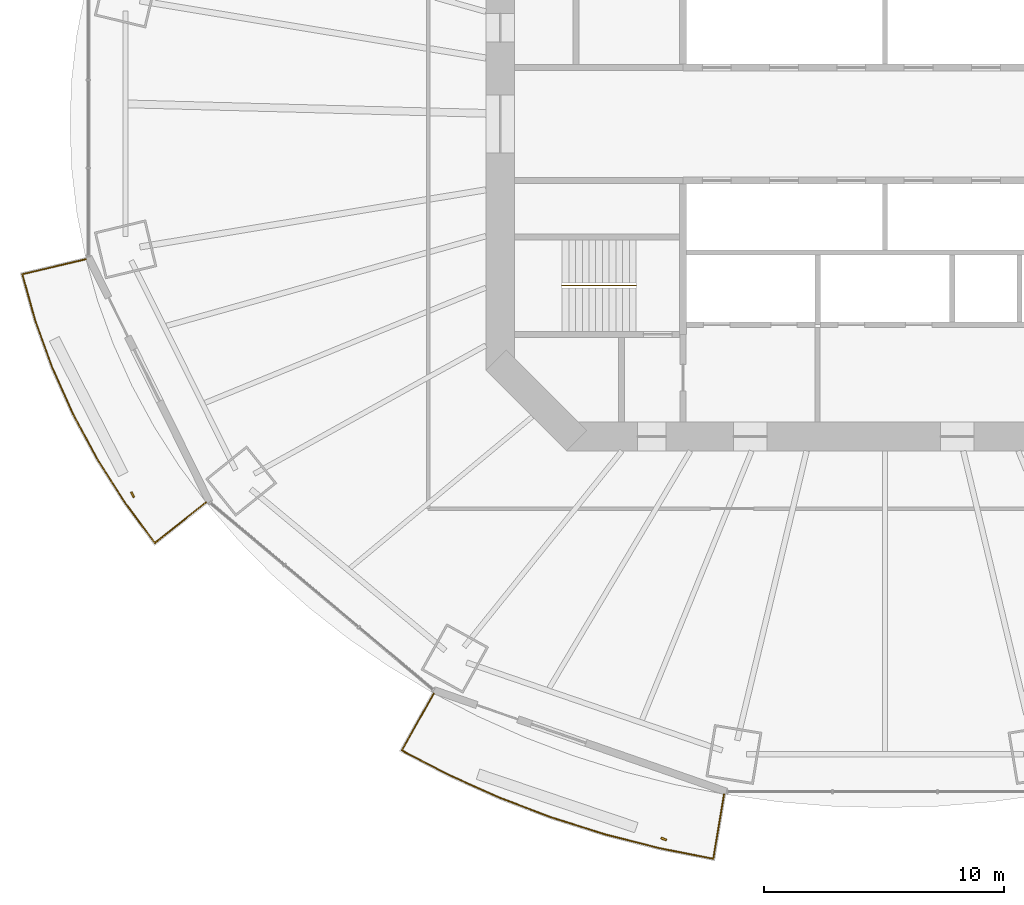
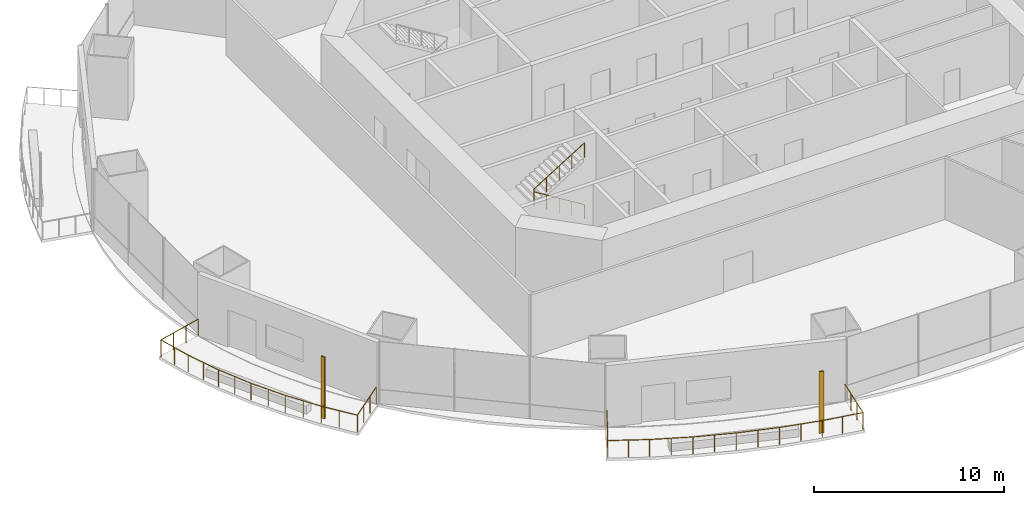
# One storey, part 17 of 21: 3 railings, 2 shading devices.
"""IFC4 building model written with IfcOpenShell, lengths in metres."""

from ifc_helpers import new_model, si_unit, direction, frame, origin, origin_2d, place, context, subcontext, project, spatial, rectangle, circle, extrude, material, material_profile, profile_set, type_object, element, save


model = new_model("IFC4")

# Units and contexts
model_context = context("Model", 3, precision=1e-05, world=origin(), true_north=direction((0.0, 1.0)))
body_context = subcontext(model_context, "Body", "Model", "MODEL_VIEW")
ifc_project = project(units=[si_unit("LENGTHUNIT", "METRE"), si_unit("AREAUNIT", "SQUARE_METRE"), si_unit("VOLUMEUNIT", "CUBIC_METRE"), si_unit("PLANEANGLEUNIT", "RADIAN"), si_unit("MASSUNIT", "GRAM", prefix="KILO")], contexts=[model_context])

# Site, building, storey
site_placement = place(None, origin())
site = spatial("IfcSite", under=ifc_project, at=site_placement, CompositionType="ELEMENT")
building_placement = place(site_placement, origin())
building = spatial("IfcBuilding", under=site, at=building_placement, Name="Marenthal Gate Tower", CompositionType="ELEMENT")
storey_placement = place(building_placement, frame((0.0, 0.0, 128.449951171875)))
storey = spatial("IfcBuildingStorey", under=building, at=storey_placement, Name="L27", CompositionType="ELEMENT", Elevation=128.449951171875)

# Railings
ifc_material_1 = material(Name="Stainless steel", Category="steel")
railing_type_1 = type_object("IfcRailingType", Name="Balcony guard 1100", PredefinedType="GUARDRAIL", material=ifc_material_1)
railing_1_placement = place(storey_placement, frame((-28.239990234375, -15.739013671875, 0.0)))
element("IfcRailing", 1, at=railing_1_placement, inside=storey, type_object=railing_type_1, Name="Balcony guard L27 bay 9", PredefinedType="GUARDRAIL", context=body_context, shape_type="SweptSolid", body=[
    extrude(circle(Radius=0.02392578125, at=origin_2d()), frame((0.0, 0.0, 1.076171875), z_axis=(-0.782384075223, -0.622622270256, -0.014719626974), x_axis=(0.622689732199, -0.782468847568, 0.0)), (0.0, 0.0, 1.0), 2.72021484375),
    extrude(circle(Radius=0.02392578125, at=origin_2d()), frame((-2.128173828125, -1.693603515625, 1.0361328125), z_axis=(-0.594457150675, 0.804127288438, 0.0), x_axis=(-0.804127288438, -0.594457150675, 0.0)), (0.0, 0.0, 1.0), 2.077392578125),
    extrude(circle(Radius=0.02392578125, at=origin_2d()), frame((-3.363037109375, -0.023193359375, 1.0361328125), z_axis=(-0.537259241166, 0.843417161185, 0.0), x_axis=(-0.843417161185, -0.537259241166, 0.0)), (0.0, 0.0, 1.0), 2.140380859375),
    extrude(circle(Radius=0.02392578125, at=origin_2d()), frame((-4.512939453125, 1.781982421875, 1.0361328125), z_axis=(-0.475168488039, 0.879894827792, 0.0), x_axis=(-0.879894827792, -0.475168488039, 0.0)), (0.0, 0.0, 1.0), 2.12451171875),
    extrude(circle(Radius=0.02392578125, at=origin_2d()), frame((-5.5224609375, 3.6513671875, 1.0361328125), z_axis=(-0.409344821555, 0.912379754853, 0.0), x_axis=(-0.912379754853, -0.409344821555, 0.0)), (0.0, 0.0, 1.0), 2.11083984375),
    extrude(circle(Radius=0.02392578125, at=origin_2d()), frame((-6.386474609375, 5.5771484375, 1.0361328125), z_axis=(-0.340033207947, 0.940413429026, 0.0), x_axis=(-0.940413429026, -0.340033207947, 0.0)), (0.0, 0.0, 1.0), 2.0986328125),
    extrude(circle(Radius=0.02392578125, at=origin_2d()), frame((-7.10009765625, 7.55078125, 1.0361328125), z_axis=(-0.269210641776, 0.963081320738, 0.0), x_axis=(-0.963081320738, -0.269210641776, 0.0)), (0.0, 0.0, 1.0), 2.0087890625),
    extrude(circle(Radius=0.02392578125, at=origin_2d()), frame((-7.640869140625, 9.4853515625, 1.0361328125), z_axis=(0.972966930586, 0.230474963356, 0.014718806071), x_axis=(-0.230499932836, 0.973072341074, 0.0)), (0.0, 0.0, 1.0), 2.72021484375),
    extrude(circle(Radius=0.02099609375, at=origin_2d()), origin(), (0.0, 0.0, 1.0), 1.052001953125),
    extrude(circle(Radius=0.02099609375, at=origin_2d()), frame((-0.70947265625, -0.564453125, -0.013427734375)), (0.0, 0.0, 1.0), 1.052001953125),
    extrude(circle(Radius=0.02099609375, at=origin_2d()), frame((-1.418701171875, -1.129150390625, -0.026611328125)), (0.0, 0.0, 1.0), 1.052001953125),
    extrude(circle(Radius=0.02099609375, at=origin_2d()), frame((-2.128173828125, -1.693603515625, -0.0400390625)), (0.0, 0.0, 1.0), 1.052001953125),
    extrude(circle(Radius=0.02099609375, at=origin_2d()), frame((-2.74560546875, -0.8583984375, -0.0400390625)), (0.0, 0.0, 1.0), 1.052001953125),
    extrude(circle(Radius=0.02099609375, at=origin_2d()), frame((-3.363037109375, -0.023193359375, -0.0400390625)), (0.0, 0.0, 1.0), 1.052001953125),
    extrude(circle(Radius=0.02099609375, at=origin_2d()), frame((-3.93798828125, 0.87939453125, -0.0400390625)), (0.0, 0.0, 1.0), 1.052001953125),
    extrude(circle(Radius=0.02099609375, at=origin_2d()), frame((-4.512939453125, 1.781982421875, -0.0400390625)), (0.0, 0.0, 1.0), 1.052001953125),
    extrude(circle(Radius=0.02099609375, at=origin_2d()), frame((-5.017578125, 2.716796875, -0.0400390625)), (0.0, 0.0, 1.0), 1.052001953125),
    extrude(circle(Radius=0.02099609375, at=origin_2d()), frame((-5.5224609375, 3.6513671875, -0.0400390625)), (0.0, 0.0, 1.0), 1.052001953125),
    extrude(circle(Radius=0.02099609375, at=origin_2d()), frame((-5.95458984375, 4.6142578125, -0.0400390625)), (0.0, 0.0, 1.0), 1.052001953125),
    extrude(circle(Radius=0.02099609375, at=origin_2d()), frame((-6.386474609375, 5.5771484375, -0.0400390625)), (0.0, 0.0, 1.0), 1.052001953125),
    extrude(circle(Radius=0.02099609375, at=origin_2d()), frame((-6.7431640625, 6.56396484375, -0.0400390625)), (0.0, 0.0, 1.0), 1.052001953125),
    extrude(circle(Radius=0.02099609375, at=origin_2d()), frame((-7.10009765625, 7.55078125, -0.0400390625)), (0.0, 0.0, 1.0), 1.052001953125),
    extrude(circle(Radius=0.02099609375, at=origin_2d()), frame((-7.37060546875, 8.51806640625, -0.0400390625)), (0.0, 0.0, 1.0), 1.052001953125),
    extrude(circle(Radius=0.02099609375, at=origin_2d()), frame((-7.640869140625, 9.4853515625, -0.0400390625)), (0.0, 0.0, 1.0), 1.052001953125),
    extrude(circle(Radius=0.02099609375, at=origin_2d()), frame((-6.758544921875, 9.6943359375, -0.026611328125)), (0.0, 0.0, 1.0), 1.052001953125),
    extrude(circle(Radius=0.02099609375, at=origin_2d()), frame((-5.87646484375, 9.9033203125, -0.013427734375)), (0.0, 0.0, 1.0), 1.052001953125),
    extrude(circle(Radius=0.02099609375, at=origin_2d()), frame((-4.994140625, 10.1123046875, 0.0)), (0.0, 0.0, 1.0), 1.052001953125),
])
railing_2_placement = place(storey_placement, frame((-6.693115234375, -27.88232421875, 0.0)))
element("IfcRailing", 2, at=railing_2_placement, inside=storey, type_object=railing_type_1, Name="Balcony guard L27 bay 11", PredefinedType="GUARDRAIL", context=body_context, shape_type="SweptSolid", body=[
    extrude(circle(Radius=0.02392578125, at=origin_2d()), frame((0.0, 0.0, 1.076171875), z_axis=(-0.164774109377, -0.986221507592, -0.014718384498), x_axis=(0.986328347949, -0.164791959854, 0.0)), (0.0, 0.0, 1.0), 2.720458984375),
    extrude(circle(Radius=0.02392578125, at=origin_2d()), frame((-0.4482421875, -2.682861328125, 1.0361328125), z_axis=(-0.981203457672, 0.192976098658, 0.0), x_axis=(-0.192976098658, -0.981203457672, 0.0)), (0.0, 0.0, 1.0), 2.2734375),
    extrude(circle(Radius=0.02392578125, at=origin_2d()), frame((-2.678955078125, -2.244140625, 1.0361328125), z_axis=(-0.969104417167, 0.246650823286, 0.0), x_axis=(-0.246650823286, -0.969104417167, 0.0)), (0.0, 0.0, 1.0), 2.343994140625),
    extrude(circle(Radius=0.02392578125, at=origin_2d()), frame((-4.950439453125, -1.666015625, 1.0361328125), z_axis=(-0.953617459754, 0.301021162798, 0.0), x_axis=(-0.301021162798, -0.953617459754, 0.0)), (0.0, 0.0, 1.0), 2.33251953125),
    extrude(circle(Radius=0.02392578125, at=origin_2d()), frame((-7.1748046875, -0.9638671875, 1.0361328125), z_axis=(-0.934727645052, 0.355364924515, 0.0), x_axis=(-0.355364924515, -0.934727645052, 0.0)), (0.0, 0.0, 1.0), 2.3193359375),
    extrude(circle(Radius=0.02392578125, at=origin_2d()), frame((-9.3427734375, -0.1396484375, 1.0361328125), z_axis=(-0.912452038961, 0.409183670979, 0.0), x_axis=(-0.409183670979, -0.912452038961, 0.0)), (0.0, 0.0, 1.0), 2.30419921875),
    extrude(circle(Radius=0.02392578125, at=origin_2d()), frame((-11.4453125, 0.80322265625, 1.0361328125), z_axis=(-0.887124453904, 0.461530284257, 0.0), x_axis=(-0.461530284257, -0.887124453904, 0.0)), (0.0, 0.0, 1.0), 2.2080078125),
    extrude(circle(Radius=0.02392578125, at=origin_2d()), frame((-13.404052734375, 1.822265625, 1.0361328125), z_axis=(0.489197979897, 0.87204857286, 0.014718119373), x_axis=(-0.872143041114, 0.489250974283, 0.0)), (0.0, 0.0, 1.0), 2.720458984375),
    extrude(circle(Radius=0.02099609375, at=origin_2d()), origin(), (0.0, 0.0, 1.0), 1.052001953125),
    extrude(circle(Radius=0.02099609375, at=origin_2d()), frame((-0.1494140625, -0.894287109375, -0.013427734375)), (0.0, 0.0, 1.0), 1.052001953125),
    extrude(circle(Radius=0.02099609375, at=origin_2d()), frame((-0.298828125, -1.78857421875, -0.026611328125)), (0.0, 0.0, 1.0), 1.052001953125),
    extrude(circle(Radius=0.02099609375, at=origin_2d()), frame((-0.4482421875, -2.682861328125, -0.0400390625)), (0.0, 0.0, 1.0), 1.052001953125),
    extrude(circle(Radius=0.02099609375, at=origin_2d()), frame((-1.5634765625, -2.46337890625, -0.0400390625)), (0.0, 0.0, 1.0), 1.052001953125),
    extrude(circle(Radius=0.02099609375, at=origin_2d()), frame((-2.678955078125, -2.244140625, -0.0400390625)), (0.0, 0.0, 1.0), 1.052001953125),
    extrude(circle(Radius=0.02099609375, at=origin_2d()), frame((-3.814697265625, -1.955078125, -0.0400390625)), (0.0, 0.0, 1.0), 1.052001953125),
    extrude(circle(Radius=0.02099609375, at=origin_2d()), frame((-4.950439453125, -1.666015625, -0.0400390625)), (0.0, 0.0, 1.0), 1.052001953125),
    extrude(circle(Radius=0.02099609375, at=origin_2d()), frame((-6.0625, -1.31494140625, -0.0400390625)), (0.0, 0.0, 1.0), 1.052001953125),
    extrude(circle(Radius=0.02099609375, at=origin_2d()), frame((-7.1748046875, -0.9638671875, -0.0400390625)), (0.0, 0.0, 1.0), 1.052001953125),
    extrude(circle(Radius=0.02099609375, at=origin_2d()), frame((-8.2587890625, -0.5517578125, -0.0400390625)), (0.0, 0.0, 1.0), 1.052001953125),
    extrude(circle(Radius=0.02099609375, at=origin_2d()), frame((-9.3427734375, -0.1396484375, -0.0400390625)), (0.0, 0.0, 1.0), 1.052001953125),
    extrude(circle(Radius=0.02099609375, at=origin_2d()), frame((-10.39404296875, 0.331787109375, -0.0400390625)), (0.0, 0.0, 1.0), 1.052001953125),
    extrude(circle(Radius=0.02099609375, at=origin_2d()), frame((-11.4453125, 0.80322265625, -0.0400390625)), (0.0, 0.0, 1.0), 1.052001953125),
    extrude(circle(Radius=0.02099609375, at=origin_2d()), frame((-12.4248046875, 1.312744140625, -0.0400390625)), (0.0, 0.0, 1.0), 1.052001953125),
    extrude(circle(Radius=0.02099609375, at=origin_2d()), frame((-13.404052734375, 1.822265625, -0.0400390625)), (0.0, 0.0, 1.0), 1.052001953125),
    extrude(circle(Radius=0.02099609375, at=origin_2d()), frame((-12.96044921875, 2.613037109375, -0.026611328125)), (0.0, 0.0, 1.0), 1.052001953125),
    extrude(circle(Radius=0.02099609375, at=origin_2d()), frame((-12.516845703125, 3.40380859375, -0.013427734375)), (0.0, 0.0, 1.0), 1.052001953125),
    extrude(circle(Radius=0.02099609375, at=origin_2d()), frame((-12.0732421875, 4.194580078125, 0.0)), (0.0, 0.0, 1.0), 1.052001953125),
])
ifc_material_2 = material(Name="Stainless steel", Category="steel")
railing_type_2 = type_object("IfcRailingType", Name="Stair handrail", PredefinedType="HANDRAIL", material=ifc_material_2)
railing_3_placement = place(storey_placement, frame((-10.35009765625, -6.72509765625, 0.1728515625)))
element("IfcRailing", 3, at=railing_3_placement, inside=storey, type_object=railing_type_2, Name="Handrail ST2", PredefinedType="HANDRAIL", context=body_context, shape_type="SweptSolid", body=[
    extrude(circle(Radius=0.0224609375, at=origin_2d()), frame((0.0, 0.0, 0.927490234375), z_axis=(-0.850816621229, 0.0, 0.525462726595), x_axis=(0.0, -1.0, 0.0)), (0.0, 0.0, 1.0), 3.619873046875),
    extrude(circle(Radius=0.0224609375, at=origin_2d()), frame((-3.079833984375, 0.0, 2.82958984375), z_axis=(0.0, 0.0, 1.0), x_axis=(1.0, 0.0, 0.0)), (0.0, 0.0, 1.0), 0.173095703125),
    extrude(circle(Radius=0.0224609375, at=origin_2d()), frame((-3.079833984375, 0.0, 3.002685546875), z_axis=(0.850816621229, 0.0, 0.525462726595), x_axis=(0.0, 1.0, 0.0)), (0.0, 0.0, 1.0), 3.619873046875),
    extrude(circle(Radius=0.02001953125, at=origin_2d()), origin(), (0.0, 0.0, 1.0), 0.905029296875),
    extrude(circle(Radius=0.02001953125, at=origin_2d()), frame((-0.77001953125, 0.0, 0.4755859375)), (0.0, 0.0, 1.0), 0.905029296875),
    extrude(circle(Radius=0.02001953125, at=origin_2d()), frame((-1.5400390625, 0.0, 0.951171875)), (0.0, 0.0, 1.0), 0.905029296875),
    extrude(circle(Radius=0.02001953125, at=origin_2d()), frame((-2.309814453125, 0.0, 1.426513671875)), (0.0, 0.0, 1.0), 0.905029296875),
    extrude(circle(Radius=0.02001953125, at=origin_2d()), frame((-3.079833984375, 0.0, 1.902099609375)), (0.0, 0.0, 1.0), 0.905029296875),
    extrude(circle(Radius=0.02001953125, at=origin_2d()), frame((-3.079833984375, 0.0, 2.0751953125)), (0.0, 0.0, 1.0), 0.905029296875),
    extrude(circle(Radius=0.02001953125, at=origin_2d()), frame((-2.309814453125, 0.0, 2.55078125)), (0.0, 0.0, 1.0), 0.905029296875),
    extrude(circle(Radius=0.02001953125, at=origin_2d()), frame((-1.5400390625, 0.0, 3.0263671875)), (0.0, 0.0, 1.0), 0.905029296875),
    extrude(circle(Radius=0.02001953125, at=origin_2d()), frame((-0.77001953125, 0.0, 3.501708984375)), (0.0, 0.0, 1.0), 0.905029296875),
    extrude(circle(Radius=0.02001953125, at=origin_2d()), frame((0.0, 0.0, 3.977294921875)), (0.0, 0.0, 1.0), 0.905029296875),
])

# Shading devices
ifc_material_3 = material(Name="Terracotta", Category="masonry")
ifc_material_profile = material_profile(ifc_material_3, rectangle(XDim=0.25, YDim=0.080078125, at=origin_2d()), Name="Terracotta baguette 250x80")
ifc_profile_set = profile_set([ifc_material_profile], Name="Terracotta")
shading_device_type = type_object("IfcShadingDeviceType", Name="Terracotta BAGUETTE SCREEN 250x80", PredefinedType="USERDEFINED", material=ifc_profile_set)
for number, where, z_axis, x_axis, name in (
    (4, (-31.29296875, -15.42333984375, -0.0400390625), (0.0, 0.0, 1.0), (0.442657811607, -0.896690616558, 0.0), "Terracotta BAGUETTE L27 bay 9R"),
    (5, (-9.20361328125, -29.742919921875, -0.0400390625), (0.0, 0.0, 1.0), (0.944576320007, -0.328291906207, 0.0), "Terracotta BAGUETTE L27 bay 11R"),
):
    element("IfcShadingDevice", number, at=place(storey_placement, frame(where, z_axis=z_axis, x_axis=x_axis)), inside=storey, type_object=shading_device_type, Name=name, ObjectType="BAGUETTE SCREEN", PredefinedType="USERDEFINED", context=body_context, shape_type="SweptSolid", body=[
        extrude(rectangle(XDim=0.25, YDim=0.080078125, at=origin_2d()), origin(), (0.0, 0.0, 1.0), 3.969970703125),
    ])

save(model, "model.ifc")
